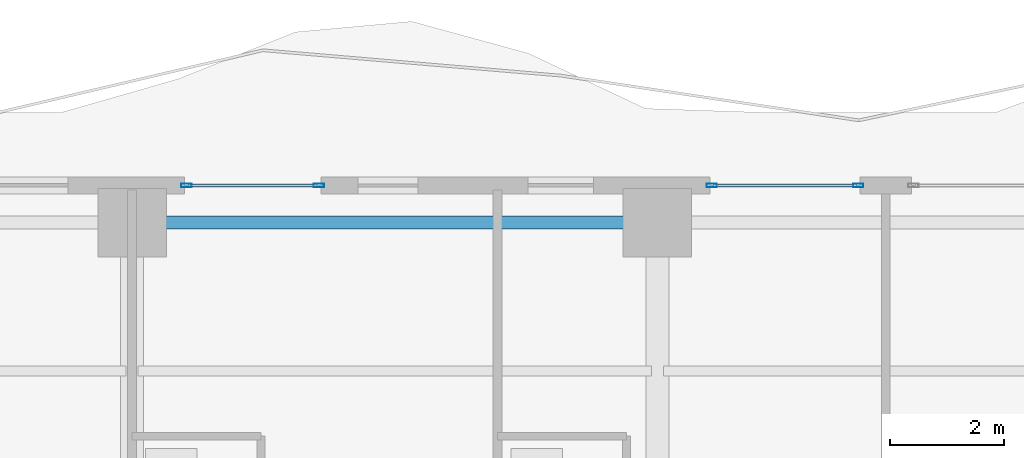
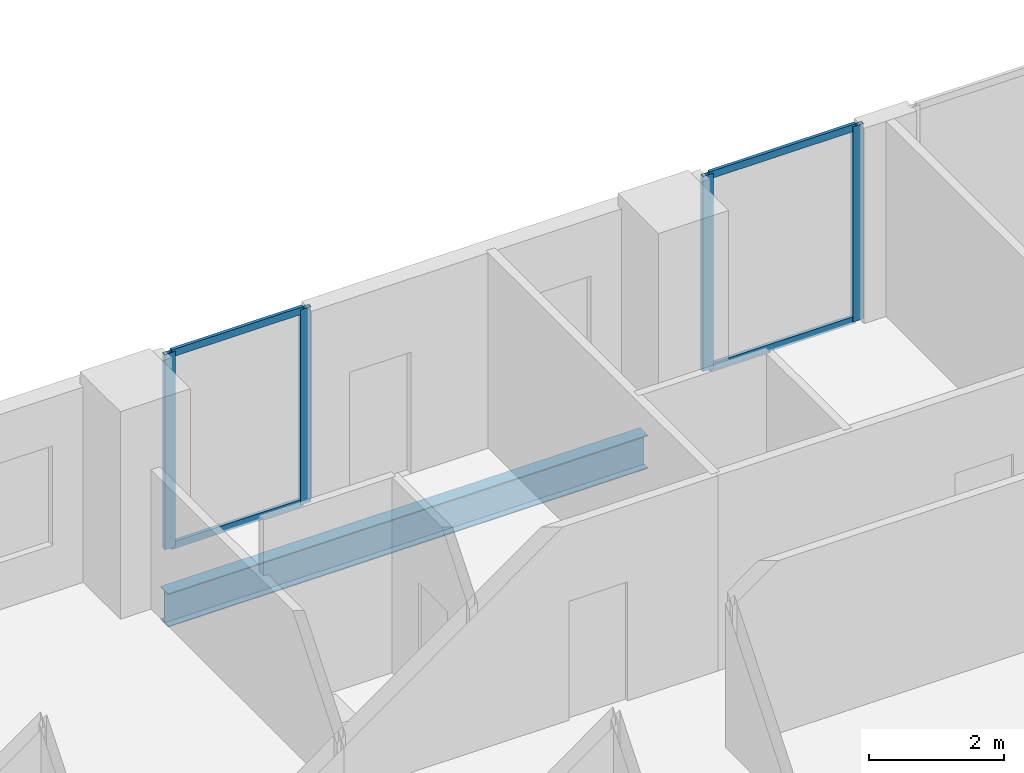
# One storey, part 19 of 32: 8 members, 1 beam, 2 elements without a shape of their own.
"""IFC4 building model written with IfcOpenShell, lengths in metres."""

from ifc_helpers import new_model, si_unit, direction, frame, origin, origin_2d, place, context, subcontext, project, spatial, hollow_rectangle, i_section, extrude, material, layer, layer_set, material_profile, profile_set, type_object, element, aggregate, save


model = new_model("IFC4")

# Units and contexts
model_context = context("Model", 3, precision=1e-05, world=origin(), true_north=direction((0.0, 1.0)))
body_context = subcontext(model_context, "Body", "Model", "MODEL_VIEW")
ifc_project = project(units=[si_unit("LENGTHUNIT", "METRE"), si_unit("AREAUNIT", "SQUARE_METRE"), si_unit("VOLUMEUNIT", "CUBIC_METRE"), si_unit("PLANEANGLEUNIT", "RADIAN"), si_unit("MASSUNIT", "GRAM", prefix="KILO")], contexts=[model_context])

# Site, building, storey
site_placement = place(None, origin())
site = spatial("IfcSite", under=ifc_project, at=site_placement, CompositionType="ELEMENT")
building_placement = place(site_placement, origin())
building = spatial("IfcBuilding", under=site, at=building_placement, Name="Zuhayl Quay Hotel", CompositionType="ELEMENT")
storey_placement = place(building_placement, frame((0.0, 0.0, 177.39990234375)))
storey = spatial("IfcBuildingStorey", under=building, at=storey_placement, Name="L44", CompositionType="ELEMENT", Elevation=177.39990234375)

# Beam
ifc_material_1 = material(Name="Steel ASTM A992 Grade 50", Category="steel")
ifc_material_profile_1 = material_profile(ifc_material_1, i_section(OverallWidth=0.22802734375, OverallDepth=0.60693359375, WebThickness=0.01123046875, FlangeThickness=0.017333984375, at=origin_2d()), Name="W24X76")
ifc_profile_set_1 = profile_set([ifc_material_profile_1], Name="Steel ASTM A992 Grade 50")
beam_type = type_object("IfcBeamType", Name="BM_B3_W24X76", PredefinedType="BEAM", material=ifc_profile_set_1)
beam_placement = place(storey_placement, frame((4.10009765625, 32.949951171875, -0.5234375), z_axis=(-1.0, 0.0, 0.0), x_axis=(0.0, -1.0, 0.0)))
element("IfcBeam", 1, at=beam_placement, inside=storey, type_object=beam_type, Name="L44 Floor Beam RG_L44_08", PredefinedType="BEAM", context=body_context, shape_type="SweptSolid", body=[
    extrude(i_section(OverallWidth=0.22802734375, OverallDepth=0.60693359375, WebThickness=0.01123046875, FlangeThickness=0.017333984375, at=origin_2d()), origin(), (0.0, 0.0, 1.0), 8.2001953125),
])

# Curtain wall, members
ifc_material_2 = material(Name="Anodised Aluminium 6063-T6", Category="aluminium")
ifc_layer = layer(ifc_material_2, 0.175048828125, Name="Anodised Aluminium 6063-T6", Category="aluminium")
ifc_layer_set = layer_set([ifc_layer], Name="Anodised Aluminium 6063-T6")
curtain_wall_type = type_object("IfcCurtainWallType", Name="CW_SYS_Z3", PredefinedType="USERDEFINED", material=ifc_layer_set)
curtain_wall_1_placement = place(storey_placement, origin())
curtain_wall_1 = element("IfcCurtainWall", 2, at=curtain_wall_1_placement, inside=storey, type_object=curtain_wall_type, Name="L44 Curtain Wall ENV_L44_N_CW2", ObjectType="UNITISED CURTAIN WALL", PredefinedType="USERDEFINED")
ifc_material_3 = material(Name="Black-anodised aluminium 6063-T6", Category="aluminium")
ifc_material_profile_2 = material_profile(ifc_material_3, hollow_rectangle(XDim=0.06494140625, YDim=0.179931640625, WallThickness=0.00341796875, at=origin_2d()), Name="ALU180X65")
ifc_profile_set_2 = profile_set([ifc_material_profile_2], Name="Black-anodised aluminium 6063-T6")
member_type_1 = type_object("IfcMemberType", Name="MB_CW_MUL_180", PredefinedType="MULLION", material=ifc_profile_set_2)
member_1_placement = place(storey_placement, frame((-3.6474609375, 33.60009765625, 0.0), z_axis=(0.0, 0.0, 1.0), x_axis=(0.0, 1.0, 0.0)))
member_1 = element("IfcMember", 3, at=member_1_placement, type_object=member_type_1, Name="CW-Z3 mullion 1", PredefinedType="MULLION", context=body_context, shape_type="SweptSolid", body=[
    extrude(hollow_rectangle(XDim=0.06494140625, YDim=0.179931640625, WallThickness=0.00341796875, at=origin_2d()), origin(), (0.0, 0.0, 1.0), 3.530029296875),
])
member_2_placement = place(storey_placement, frame((-1.327392578125, 33.60009765625, 0.0), z_axis=(0.0, 0.0, 1.0), x_axis=(0.0, 1.0, 0.0)))
member_2 = element("IfcMember", 4, at=member_2_placement, type_object=member_type_1, Name="CW-Z3 mullion 2", PredefinedType="MULLION", context=body_context, shape_type="SweptSolid", body=[
    extrude(hollow_rectangle(XDim=0.06494140625, YDim=0.179931640625, WallThickness=0.00341796875, at=origin_2d()), origin(), (0.0, 0.0, 1.0), 3.530029296875),
])

curtain_wall_2_placement = place(storey_placement, origin())
curtain_wall_2 = element("IfcCurtainWall", 5, at=curtain_wall_2_placement, inside=storey, type_object=curtain_wall_type, Name="L44 Curtain Wall ENV_L44_N_CW3", ObjectType="UNITISED CURTAIN WALL", PredefinedType="USERDEFINED")
member_3_placement = place(storey_placement, frame((5.552490234375, 33.60009765625, 0.0), z_axis=(0.0, 0.0, 1.0), x_axis=(0.0, 1.0, 0.0)))
member_3 = element("IfcMember", 6, at=member_3_placement, type_object=member_type_1, Name="CW-Z3 mullion 1", PredefinedType="MULLION", context=body_context, shape_type="SweptSolid", body=[
    extrude(hollow_rectangle(XDim=0.06494140625, YDim=0.179931640625, WallThickness=0.00341796875, at=origin_2d()), origin(), (0.0, 0.0, 1.0), 3.530029296875),
])
member_4_placement = place(storey_placement, frame((8.117431640625, 33.60009765625, 0.0), z_axis=(0.0, 0.0, 1.0), x_axis=(0.0, 1.0, 0.0)))
member_4 = element("IfcMember", 7, at=member_4_placement, type_object=member_type_1, Name="CW-Z3 mullion 2", PredefinedType="MULLION", context=body_context, shape_type="SweptSolid", body=[
    extrude(hollow_rectangle(XDim=0.06494140625, YDim=0.179931640625, WallThickness=0.00341796875, at=origin_2d()), origin(), (0.0, 0.0, 1.0), 3.530029296875),
])

# Member
ifc_material_profile_3 = material_profile(ifc_material_3, hollow_rectangle(XDim=0.054931640625, YDim=0.1298828125, WallThickness=0.0029296875, at=origin_2d()), Name="ALU130X55")
ifc_profile_set_3 = profile_set([ifc_material_profile_3], Name="Black-anodised aluminium 6063-T6")
member_type_2 = type_object("IfcMemberType", Name="MB_CW_TRN_130", PredefinedType="USERDEFINED", material=ifc_profile_set_3)
member_5_placement = place(storey_placement, frame((-3.614990234375, 33.60009765625, 0.027587890625), z_axis=(1.0, 0.0, 0.0), x_axis=(0.0, 1.0, 0.0)))
member_5 = element("IfcMember", 8, at=member_5_placement, type_object=member_type_2, Name="CW-Z3 transom 1.1", ObjectType="TRANSOM", PredefinedType="USERDEFINED", context=body_context, shape_type="SweptSolid", body=[
    extrude(hollow_rectangle(XDim=0.054931640625, YDim=0.1298828125, WallThickness=0.0029296875, at=origin_2d()), origin(), (0.0, 0.0, 1.0), 2.2548828125),
])

member_6_placement = place(storey_placement, frame((-3.614990234375, 33.60009765625, 3.502685546875), z_axis=(1.0, 0.0, 0.0), x_axis=(0.0, 1.0, 0.0)))
member_6 = element("IfcMember", 9, at=member_6_placement, type_object=member_type_2, Name="CW-Z3 transom 1.2", ObjectType="TRANSOM", PredefinedType="USERDEFINED", context=body_context, shape_type="SweptSolid", body=[
    extrude(hollow_rectangle(XDim=0.054931640625, YDim=0.1298828125, WallThickness=0.0029296875, at=origin_2d()), origin(), (0.0, 0.0, 1.0), 2.2548828125),
])

aggregate(curtain_wall_1, [member_1, member_2, member_5, member_6])

member_7_placement = place(storey_placement, frame((5.5849609375, 33.60009765625, 0.027587890625), z_axis=(1.0, 0.0, 0.0), x_axis=(0.0, 1.0, 0.0)))
member_7 = element("IfcMember", 10, at=member_7_placement, type_object=member_type_2, Name="CW-Z3 transom 1.1", ObjectType="TRANSOM", PredefinedType="USERDEFINED", context=body_context, shape_type="SweptSolid", body=[
    extrude(hollow_rectangle(XDim=0.054931640625, YDim=0.1298828125, WallThickness=0.0029296875, at=origin_2d()), origin(), (0.0, 0.0, 1.0), 2.5),
])

member_8_placement = place(storey_placement, frame((5.5849609375, 33.60009765625, 3.502685546875), z_axis=(1.0, 0.0, 0.0), x_axis=(0.0, 1.0, 0.0)))
member_8 = element("IfcMember", 11, at=member_8_placement, type_object=member_type_2, Name="CW-Z3 transom 1.2", ObjectType="TRANSOM", PredefinedType="USERDEFINED", context=body_context, shape_type="SweptSolid", body=[
    extrude(hollow_rectangle(XDim=0.054931640625, YDim=0.1298828125, WallThickness=0.0029296875, at=origin_2d()), origin(), (0.0, 0.0, 1.0), 2.5),
])

aggregate(curtain_wall_2, [member_3, member_4, member_7, member_8])

save(model, "model.ifc")
